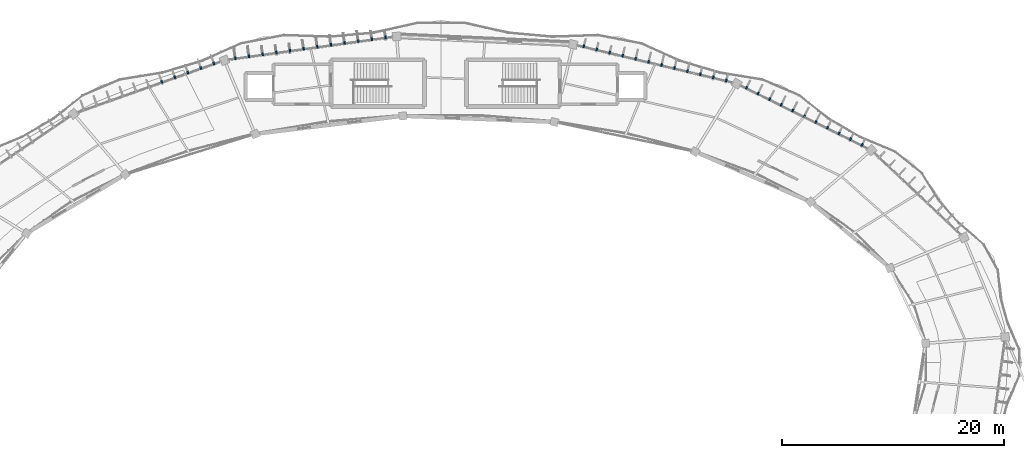
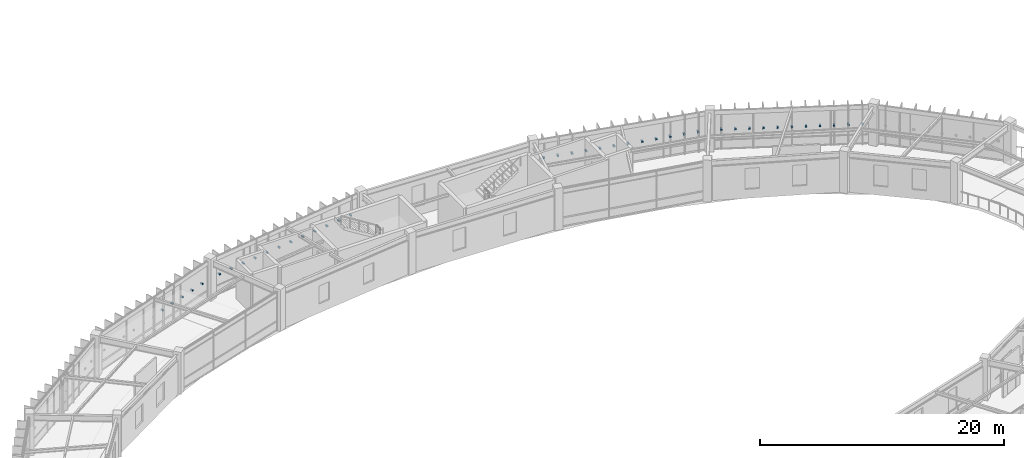
# One storey, part 135 of 152: 40 discrete accessories.
"""IFC4 building model written with IfcOpenShell, lengths in metres."""

from ifc_helpers import new_model, si_unit, direction, frame, origin, origin_2d, place, context, subcontext, project, spatial, rectangle, extrude, material, type_object, element, save


model = new_model("IFC4")

# Units and contexts
model_context = context("Model", 3, precision=1e-05, world=origin(), true_north=direction((0.0, 1.0)))
body_context = subcontext(model_context, "Body", "Model", "MODEL_VIEW")
ifc_project = project(units=[si_unit("LENGTHUNIT", "METRE"), si_unit("AREAUNIT", "SQUARE_METRE"), si_unit("VOLUMEUNIT", "CUBIC_METRE"), si_unit("PLANEANGLEUNIT", "RADIAN"), si_unit("MASSUNIT", "GRAM", prefix="KILO"), si_unit("THERMODYNAMICTEMPERATUREUNIT", "KELVIN"), si_unit("POWERUNIT", "WATT")], contexts=[model_context])

# Site, building, storey
site_placement = place(None, origin())
site = spatial("IfcSite", under=ifc_project, at=site_placement, CompositionType="ELEMENT")
building_placement = place(site_placement, origin())
building = spatial("IfcBuilding", under=site, at=building_placement, Name="Darbajah Civic Hall", CompositionType="ELEMENT")
storey_placement = place(building_placement, frame((0.0, 0.0, 5.39990234375)))
storey = spatial("IfcBuildingStorey", under=building, at=storey_placement, Name="L01", CompositionType="ELEMENT", Elevation=5.39990234375)

# Discrete accessories
ifc_material = material(Name="Stainless Steel S355JR", Category="steel")
discrete_accessory_type = type_object("IfcDiscreteAccessoryType", Name="Stainless Facade Support Bracket", PredefinedType="BRACKET", material=ifc_material)
for number, where, z_axis, x_axis, name in (
    (1, (127.048583984375, 109.436767578125, 1.89013671875), (0.0, 0.0, 1.0), (0.442914717678, 0.89656374724, 0.0), "L01 shading fin bracket 02-1"),
    (2, (126.0068359375, 109.951416015625, 1.89013671875), (0.0, 0.0, 1.0), (0.442914717678, 0.89656374724, 0.0), "L01 shading fin bracket 02-2"),
    (3, (124.96533203125, 110.4658203125, 1.89013671875), (0.0, 0.0, 1.0), (0.442914717678, 0.89656374724, 0.0), "L01 shading fin bracket 02-3"),
    (4, (123.923828125, 110.98046875, 1.89013671875), (0.0, 0.0, 1.0), (0.442914717678, 0.89656374724, 0.0), "L01 shading fin bracket 02-4"),
    (5, (122.882080078125, 111.4951171875, 1.89013671875), (0.0, 0.0, 1.0), (0.442914717678, 0.89656374724, 0.0), "L01 shading fin bracket 02-5"),
    (6, (121.840576171875, 112.009521484375, 1.89013671875), (0.0, 0.0, 1.0), (0.442914717678, 0.89656374724, 0.0), "L01 shading fin bracket 02-6"),
    (7, (120.799072265625, 112.524169921875, 1.89013671875), (0.0, 0.0, 1.0), (0.442914717678, 0.89656374724, 0.0), "L01 shading fin bracket 02-7"),
    (8, (119.757568359375, 113.038818359375, 1.89013671875), (0.0, 0.0, 1.0), (0.442914717678, 0.89656374724, 0.0), "L01 shading fin bracket 02-8"),
    (9, (118.7158203125, 113.55322265625, 1.89013671875), (0.0, 0.0, 1.0), (0.442914717678, 0.89656374724, 0.0), "L01 shading fin bracket 02-9"),
    (10, (117.67431640625, 114.06787109375, 1.89013671875), (0.0, 0.0, 1.0), (0.442914717678, 0.89656374724, 0.0), "L01 shading fin bracket 02-10"),
    (11, (116.6328125, 114.58251953125, 1.89013671875), (0.0, 0.0, 1.0), (0.442914717678, 0.89656374724, 0.0), "L01 shading fin bracket 02-11"),
    (12, (114.81103515625, 115.239013671875, 1.89013671875), (0.0, 0.0, 1.0), (0.232936200179, 0.972492018808, 0.0), "L01 shading fin bracket 03-1"),
    (13, (113.643798828125, 115.5185546875, 1.89013671875), (0.0, 0.0, 1.0), (0.232936200179, 0.972492018808, 0.0), "L01 shading fin bracket 03-2"),
    (14, (112.476318359375, 115.79833984375, 1.89013671875), (0.0, 0.0, 1.0), (0.232936200179, 0.972492018808, 0.0), "L01 shading fin bracket 03-3"),
    (15, (111.30908203125, 116.077880859375, 1.89013671875), (0.0, 0.0, 1.0), (0.232936200179, 0.972492018808, 0.0), "L01 shading fin bracket 03-4"),
    (16, (110.1416015625, 116.357666015625, 1.89013671875), (0.0, 0.0, 1.0), (0.232936200179, 0.972492018808, 0.0), "L01 shading fin bracket 03-5"),
    (17, (108.97412109375, 116.637451171875, 1.89013671875), (0.0, 0.0, 1.0), (0.232936200179, 0.972492018808, 0.0), "L01 shading fin bracket 03-6"),
    (18, (107.806884765625, 116.9169921875, 1.89013671875), (0.0, 0.0, 1.0), (0.232936200179, 0.972492018808, 0.0), "L01 shading fin bracket 03-7"),
    (19, (106.639404296875, 117.19677734375, 1.89013671875), (0.0, 0.0, 1.0), (0.232936200179, 0.972492018808, 0.0), "L01 shading fin bracket 03-8"),
    (20, (105.47216796875, 117.4765625, 1.89013671875), (0.0, 0.0, 1.0), (0.232936200179, 0.972492018808, 0.0), "L01 shading fin bracket 03-9"),
    (21, (104.3046875, 117.756103515625, 1.89013671875), (0.0, 0.0, 1.0), (0.232936200179, 0.972492018808, 0.0), "L01 shading fin bracket 03-10"),
    (22, (103.13720703125, 118.035888671875, 1.89013671875), (0.0, 0.0, 1.0), (0.232936200179, 0.972492018808, 0.0), "L01 shading fin bracket 03-11"),
    (23, (101.969970703125, 118.315673828125, 1.89013671875), (0.0, 0.0, 1.0), (0.232936200179, 0.972492018808, 0.0), "L01 shading fin bracket 03-12"),
    (24, (84.1015625, 119.131103515625, 1.89013671875), (0.0, 0.0, 1.0), (-0.137617420457, 0.990485459553, 0.0), "L01 shading fin bracket 05-1"),
    (25, (82.870849609375, 118.960205078125, 1.89013671875), (0.0, 0.0, 1.0), (-0.137617420457, 0.990485459553, 0.0), "L01 shading fin bracket 05-2"),
    (26, (81.64013671875, 118.789306640625, 1.89013671875), (0.0, 0.0, 1.0), (-0.137617420457, 0.990485459553, 0.0), "L01 shading fin bracket 05-3"),
    (27, (80.409423828125, 118.618408203125, 1.89013671875), (0.0, 0.0, 1.0), (-0.137617420457, 0.990485459553, 0.0), "L01 shading fin bracket 05-4"),
    (28, (79.1787109375, 118.447509765625, 1.89013671875), (0.0, 0.0, 1.0), (-0.137617420457, 0.990485459553, 0.0), "L01 shading fin bracket 05-5"),
    (29, (77.947998046875, 118.276611328125, 1.89013671875), (0.0, 0.0, 1.0), (-0.137617420457, 0.990485459553, 0.0), "L01 shading fin bracket 05-6"),
    (30, (76.71728515625, 118.105712890625, 1.89013671875), (0.0, 0.0, 1.0), (-0.137617420457, 0.990485459553, 0.0), "L01 shading fin bracket 05-7"),
    (31, (75.486572265625, 117.934814453125, 1.89013671875), (0.0, 0.0, 1.0), (-0.137617420457, 0.990485459553, 0.0), "L01 shading fin bracket 05-8"),
    (32, (74.255859375, 117.763916015625, 1.89013671875), (0.0, 0.0, 1.0), (-0.137617420457, 0.990485459553, 0.0), "L01 shading fin bracket 05-9"),
    (33, (73.025146484375, 117.593017578125, 1.89013671875), (0.0, 0.0, 1.0), (-0.137617420457, 0.990485459553, 0.0), "L01 shading fin bracket 05-10"),
    (34, (71.794189453125, 117.422119140625, 1.89013671875), (0.0, 0.0, 1.0), (-0.137617420457, 0.990485459553, 0.0), "L01 shading fin bracket 05-11"),
    (35, (70.563720703125, 117.251220703125, 1.89013671875), (0.0, 0.0, 1.0), (-0.137617420457, 0.990485459553, 0.0), "L01 shading fin bracket 05-12"),
    (36, (68.62158203125, 116.777099609375, 1.89013671875), (0.0, 0.0, 1.0), (-0.334135882844, 0.94252491309, 0.0), "L01 shading fin bracket 06-1"),
    (37, (67.449462890625, 116.36181640625, 1.89013671875), (0.0, 0.0, 1.0), (-0.334135882844, 0.94252491309, 0.0), "L01 shading fin bracket 06-2"),
    (38, (66.277099609375, 115.9462890625, 1.89013671875), (0.0, 0.0, 1.0), (-0.334135882844, 0.94252491309, 0.0), "L01 shading fin bracket 06-3"),
    (39, (65.10498046875, 115.53076171875, 1.89013671875), (0.0, 0.0, 1.0), (-0.334135882844, 0.94252491309, 0.0), "L01 shading fin bracket 06-4"),
    (40, (63.932861328125, 115.115234375, 1.89013671875), (0.0, 0.0, 1.0), (-0.334135882844, 0.94252491309, 0.0), "L01 shading fin bracket 06-5"),
):
    element("IfcDiscreteAccessory", number, at=place(storey_placement, frame(where, z_axis=z_axis, x_axis=x_axis)), inside=storey, type_object=discrete_accessory_type, Name=name, PredefinedType="BRACKET", context=body_context, shape_type="SweptSolid", body=[
        extrude(rectangle(XDim=0.260009765625, YDim=0.139892578125, at=origin_2d()), origin(), (0.0, 0.0, 1.0), 0.139892578125),
    ])

save(model, "model.ifc")
